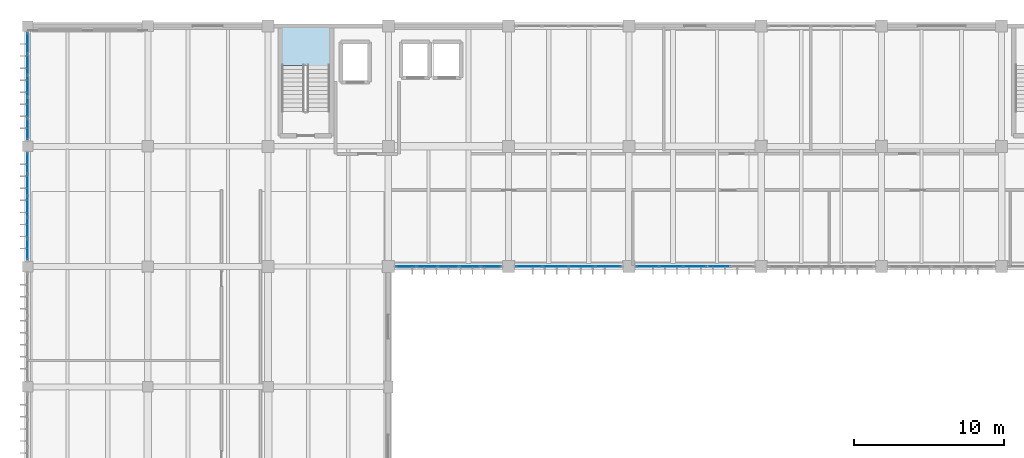
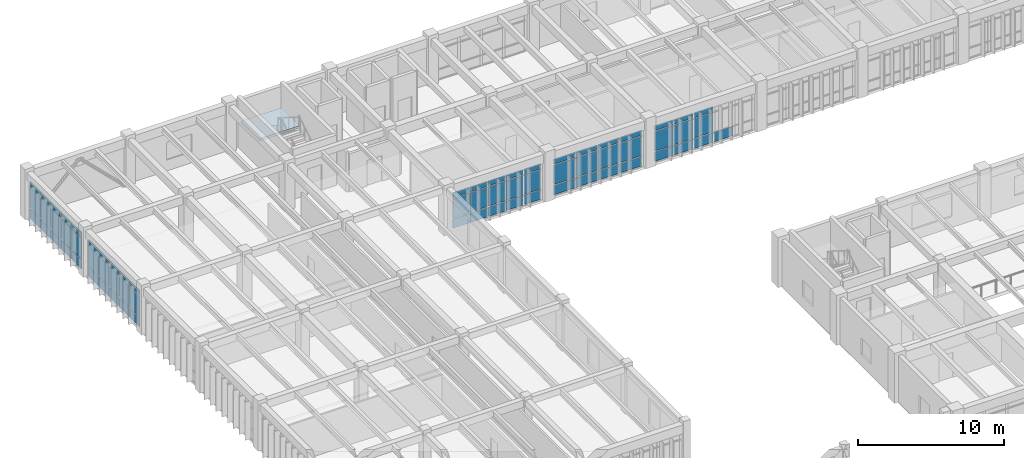
# One storey, part 34 of 67: 67 plates, 1 slab, 6 elements without a shape of their own.
"""IFC4 building model written with IfcOpenShell, lengths in metres."""

from ifc_helpers import new_model, si_unit, direction, frame, origin, origin_2d, place, context, subcontext, project, spatial, polyline, rectangle, outline, extrude, material, layer, layer_set, type_object, element, aggregate, save


model = new_model("IFC4")

# Units and contexts
model_context = context("Model", 3, precision=1e-05, world=origin(), true_north=direction((0.0, 1.0)))
body_context = subcontext(model_context, "Body", "Model", "MODEL_VIEW")
ifc_project = project(units=[si_unit("LENGTHUNIT", "METRE"), si_unit("AREAUNIT", "SQUARE_METRE"), si_unit("VOLUMEUNIT", "CUBIC_METRE"), si_unit("PLANEANGLEUNIT", "RADIAN"), si_unit("MASSUNIT", "GRAM", prefix="KILO")], contexts=[model_context])

# Site, building, storey
site_placement = place(None, origin())
site = spatial("IfcSite", under=ifc_project, at=site_placement, CompositionType="ELEMENT")
building_placement = place(site_placement, origin())
building = spatial("IfcBuilding", under=site, at=building_placement, Name="Tlaxcora Railside Police Headquarters", CompositionType="ELEMENT")
storey_placement = place(building_placement, frame((0.0, 0.0, 4.800048828125)))
storey = spatial("IfcBuildingStorey", under=building, at=storey_placement, Name="L01", CompositionType="ELEMENT", Elevation=4.800048828125)

# Curtain wall, plates
ifc_material_1 = material(Name="Thermally broken low-E insulated glazing", Category="glass")
curtain_wall_type_1 = type_object("IfcCurtainWallType", Name="Unitised Curtain Wall Assembly CW-23", PredefinedType="NOTDEFINED", material=ifc_material_1)
curtain_wall_1_placement = place(storey_placement, origin())
curtain_wall_1 = element("IfcCurtainWall", 1, at=curtain_wall_1_placement, inside=storey, type_object=curtain_wall_type_1, Name="V5 L01 curtain wall 32", PredefinedType="NOTDEFINED")
ifc_layer_1 = layer(ifc_material_1, 0.0400390625, Name="Thermally broken low-E insulated glazing")
ifc_layer_set_1 = layer_set([ifc_layer_1], Name="Thermally broken low-E insulated glazing")
plate_type_1 = type_object("IfcPlateType", Name="Curtain Wall Infill Panel CW-17", PredefinedType="CURTAIN_PANEL", material=ifc_layer_set_1)
plate_1_placement = place(storey_placement, frame((30.3798828125, 76.800048828125, 0.080078125), z_axis=(0.0, 0.0, 1.0), x_axis=(1.0, 0.0, 0.0)))
plate_1 = element("IfcPlate", 2, at=plate_1_placement, type_object=plate_type_1, Name="CW panel 1.1", PredefinedType="CURTAIN_PANEL", context=body_context, shape_type="SweptSolid", body=[
    extrude(rectangle(XDim=1.300048828125, YDim=0.0400390625, at=origin_2d()), origin(), (0.0, 0.0, 1.0), 0.780029296875),
])
plate_2_placement = place(storey_placement, frame((30.3798828125, 76.800048828125, 0.93994140625), z_axis=(0.0, 0.0, 1.0), x_axis=(1.0, 0.0, 0.0)))
plate_2 = element("IfcPlate", 3, at=plate_2_placement, type_object=plate_type_1, Name="CW panel 1.2", PredefinedType="CURTAIN_PANEL", context=body_context, shape_type="SweptSolid", body=[
    extrude(rectangle(XDim=1.300048828125, YDim=0.0400390625, at=origin_2d()), origin(), (0.0, 0.0, 1.0), 1.6298828125),
])
plate_3_placement = place(storey_placement, frame((30.3798828125, 76.800048828125, 2.64990234375), z_axis=(0.0, 0.0, 1.0), x_axis=(1.0, 0.0, 0.0)))
plate_3 = element("IfcPlate", 4, at=plate_3_placement, type_object=plate_type_1, Name="CW panel 1.3", PredefinedType="CURTAIN_PANEL", context=body_context, shape_type="SweptSolid", body=[
    extrude(rectangle(XDim=1.300048828125, YDim=0.0400390625, at=origin_2d()), origin(), (0.0, 0.0, 1.0), 0.409912109375),
])
plate_4_placement = place(storey_placement, frame((31.780029296875, 76.800048828125, 0.080078125), z_axis=(0.0, 0.0, 1.0), x_axis=(1.0, 0.0, 0.0)))
plate_4 = element("IfcPlate", 5, at=plate_4_placement, type_object=plate_type_1, Name="CW panel 2.1", PredefinedType="CURTAIN_PANEL", context=body_context, shape_type="SweptSolid", body=[
    extrude(rectangle(XDim=1.340087890625, YDim=0.0400390625, at=origin_2d()), origin(), (0.0, 0.0, 1.0), 0.780029296875),
])
plate_5_placement = place(storey_placement, frame((31.780029296875, 76.800048828125, 0.93994140625), z_axis=(0.0, 0.0, 1.0), x_axis=(1.0, 0.0, 0.0)))
plate_5 = element("IfcPlate", 6, at=plate_5_placement, type_object=plate_type_1, Name="CW panel 2.2", PredefinedType="CURTAIN_PANEL", context=body_context, shape_type="SweptSolid", body=[
    extrude(rectangle(XDim=1.340087890625, YDim=0.0400390625, at=origin_2d()), origin(), (0.0, 0.0, 1.0), 1.6298828125),
])
plate_6_placement = place(storey_placement, frame((31.780029296875, 76.800048828125, 2.64990234375), z_axis=(0.0, 0.0, 1.0), x_axis=(1.0, 0.0, 0.0)))
plate_6 = element("IfcPlate", 7, at=plate_6_placement, type_object=plate_type_1, Name="CW panel 2.3", PredefinedType="CURTAIN_PANEL", context=body_context, shape_type="SweptSolid", body=[
    extrude(rectangle(XDim=1.340087890625, YDim=0.0400390625, at=origin_2d()), origin(), (0.0, 0.0, 1.0), 0.409912109375),
])
plate_7_placement = place(storey_placement, frame((33.199951171875, 76.800048828125, 0.080078125), z_axis=(0.0, 0.0, 1.0), x_axis=(1.0, 0.0, 0.0)))
plate_7 = element("IfcPlate", 8, at=plate_7_placement, type_object=plate_type_1, Name="CW panel 3.1", PredefinedType="CURTAIN_PANEL", context=body_context, shape_type="SweptSolid", body=[
    extrude(rectangle(XDim=1.340087890625, YDim=0.0400390625, at=origin_2d()), origin(), (0.0, 0.0, 1.0), 0.780029296875),
])
plate_8_placement = place(storey_placement, frame((33.199951171875, 76.800048828125, 0.93994140625), z_axis=(0.0, 0.0, 1.0), x_axis=(1.0, 0.0, 0.0)))
plate_8 = element("IfcPlate", 9, at=plate_8_placement, type_object=plate_type_1, Name="CW panel 3.2", PredefinedType="CURTAIN_PANEL", context=body_context, shape_type="SweptSolid", body=[
    extrude(rectangle(XDim=1.340087890625, YDim=0.0400390625, at=origin_2d()), origin(), (0.0, 0.0, 1.0), 1.6298828125),
])
plate_9_placement = place(storey_placement, frame((33.199951171875, 76.800048828125, 2.64990234375), z_axis=(0.0, 0.0, 1.0), x_axis=(1.0, 0.0, 0.0)))
plate_9 = element("IfcPlate", 10, at=plate_9_placement, type_object=plate_type_1, Name="CW panel 3.3", PredefinedType="CURTAIN_PANEL", context=body_context, shape_type="SweptSolid", body=[
    extrude(rectangle(XDim=1.340087890625, YDim=0.0400390625, at=origin_2d()), origin(), (0.0, 0.0, 1.0), 0.409912109375),
])
plate_10_placement = place(storey_placement, frame((34.6201171875, 76.800048828125, 0.080078125), z_axis=(0.0, 0.0, 1.0), x_axis=(1.0, 0.0, 0.0)))
plate_10 = element("IfcPlate", 11, at=plate_10_placement, type_object=plate_type_1, Name="CW panel 4.1", PredefinedType="CURTAIN_PANEL", context=body_context, shape_type="SweptSolid", body=[
    extrude(rectangle(XDim=1.340087890625, YDim=0.0400390625, at=origin_2d()), origin(), (0.0, 0.0, 1.0), 0.780029296875),
])
plate_11_placement = place(storey_placement, frame((34.6201171875, 76.800048828125, 0.93994140625), z_axis=(0.0, 0.0, 1.0), x_axis=(1.0, 0.0, 0.0)))
plate_11 = element("IfcPlate", 12, at=plate_11_placement, type_object=plate_type_1, Name="CW panel 4.2", PredefinedType="CURTAIN_PANEL", context=body_context, shape_type="SweptSolid", body=[
    extrude(rectangle(XDim=1.340087890625, YDim=0.0400390625, at=origin_2d()), origin(), (0.0, 0.0, 1.0), 1.6298828125),
])
plate_12_placement = place(storey_placement, frame((34.6201171875, 76.800048828125, 2.64990234375), z_axis=(0.0, 0.0, 1.0), x_axis=(1.0, 0.0, 0.0)))
plate_12 = element("IfcPlate", 13, at=plate_12_placement, type_object=plate_type_1, Name="CW panel 4.3", PredefinedType="CURTAIN_PANEL", context=body_context, shape_type="SweptSolid", body=[
    extrude(rectangle(XDim=1.340087890625, YDim=0.0400390625, at=origin_2d()), origin(), (0.0, 0.0, 1.0), 0.409912109375),
])
plate_13_placement = place(storey_placement, frame((36.02001953125, 76.800048828125, 0.080078125), z_axis=(0.0, 0.0, 1.0), x_axis=(1.0, 0.0, 0.0)))
plate_13 = element("IfcPlate", 14, at=plate_13_placement, type_object=plate_type_1, Name="CW panel 5.1", PredefinedType="CURTAIN_PANEL", context=body_context, shape_type="SweptSolid", body=[
    extrude(rectangle(XDim=1.300048828125, YDim=0.0400390625, at=origin_2d()), origin(), (0.0, 0.0, 1.0), 0.780029296875),
])
plate_14_placement = place(storey_placement, frame((36.02001953125, 76.800048828125, 0.93994140625), z_axis=(0.0, 0.0, 1.0), x_axis=(1.0, 0.0, 0.0)))
plate_14 = element("IfcPlate", 15, at=plate_14_placement, type_object=plate_type_1, Name="CW panel 5.2", PredefinedType="CURTAIN_PANEL", context=body_context, shape_type="SweptSolid", body=[
    extrude(rectangle(XDim=1.300048828125, YDim=0.0400390625, at=origin_2d()), origin(), (0.0, 0.0, 1.0), 1.6298828125),
])
plate_15_placement = place(storey_placement, frame((36.02001953125, 76.800048828125, 2.64990234375), z_axis=(0.0, 0.0, 1.0), x_axis=(1.0, 0.0, 0.0)))
plate_15 = element("IfcPlate", 16, at=plate_15_placement, type_object=plate_type_1, Name="CW panel 5.3", PredefinedType="CURTAIN_PANEL", context=body_context, shape_type="SweptSolid", body=[
    extrude(rectangle(XDim=1.300048828125, YDim=0.0400390625, at=origin_2d()), origin(), (0.0, 0.0, 1.0), 0.409912109375),
])
aggregate(curtain_wall_1, [plate_1, plate_2, plate_3, plate_4, plate_5, plate_6, plate_7, plate_8, plate_9, plate_10, plate_11, plate_12, plate_13, plate_14, plate_15])

curtain_wall_2_placement = place(storey_placement, origin())
curtain_wall_2 = element("IfcCurtainWall", 17, at=curtain_wall_2_placement, inside=storey, type_object=curtain_wall_type_1, Name="V5 L01 curtain wall 44", PredefinedType="NOTDEFINED")
plate_16_placement = place(storey_placement, frame((5.199951171875, 91.659912109375, 0.080078125), z_axis=(0.0, 0.0, 1.0), x_axis=(0.0, -1.0, 0.0)))
plate_16 = element("IfcPlate", 18, at=plate_16_placement, type_object=plate_type_1, Name="CW panel 1.1", PredefinedType="CURTAIN_PANEL", context=body_context, shape_type="SweptSolid", body=[
    extrude(rectangle(XDim=1.320068359375, YDim=0.0400390625, at=origin_2d()), origin(), (0.0, 0.0, 1.0), 0.780029296875),
])
plate_17_placement = place(storey_placement, frame((5.199951171875, 91.659912109375, 0.93994140625), z_axis=(0.0, 0.0, 1.0), x_axis=(0.0, -1.0, 0.0)))
plate_17 = element("IfcPlate", 19, at=plate_17_placement, type_object=plate_type_1, Name="CW panel 1.2", PredefinedType="CURTAIN_PANEL", context=body_context, shape_type="SweptSolid", body=[
    extrude(rectangle(XDim=1.320068359375, YDim=0.0400390625, at=origin_2d()), origin(), (0.0, 0.0, 1.0), 1.72998046875),
])
plate_18_placement = place(storey_placement, frame((5.199951171875, 91.659912109375, 2.75), z_axis=(0.0, 0.0, 1.0), x_axis=(0.0, -1.0, 0.0)))
plate_18 = element("IfcPlate", 20, at=plate_18_placement, type_object=plate_type_1, Name="CW panel 1.3", PredefinedType="CURTAIN_PANEL", context=body_context, shape_type="SweptSolid", body=[
    extrude(rectangle(XDim=1.320068359375, YDim=0.0400390625, at=origin_2d()), origin(), (0.0, 0.0, 1.0), 0.409912109375),
])
plate_19_placement = place(storey_placement, frame((5.199951171875, 90.239990234375, 0.080078125), z_axis=(0.0, 0.0, 1.0), x_axis=(0.0, -1.0, 0.0)))
plate_19 = element("IfcPlate", 21, at=plate_19_placement, type_object=plate_type_1, Name="CW panel 2.1", PredefinedType="CURTAIN_PANEL", context=body_context, shape_type="SweptSolid", body=[
    extrude(rectangle(XDim=1.360107421875, YDim=0.0400390625, at=origin_2d()), origin(), (0.0, 0.0, 1.0), 0.780029296875),
])
plate_20_placement = place(storey_placement, frame((5.199951171875, 90.239990234375, 0.93994140625), z_axis=(0.0, 0.0, 1.0), x_axis=(0.0, -1.0, 0.0)))
plate_20 = element("IfcPlate", 22, at=plate_20_placement, type_object=plate_type_1, Name="CW panel 2.2", PredefinedType="CURTAIN_PANEL", context=body_context, shape_type="SweptSolid", body=[
    extrude(rectangle(XDim=1.360107421875, YDim=0.0400390625, at=origin_2d()), origin(), (0.0, 0.0, 1.0), 1.72998046875),
])
plate_21_placement = place(storey_placement, frame((5.199951171875, 90.239990234375, 2.75), z_axis=(0.0, 0.0, 1.0), x_axis=(0.0, -1.0, 0.0)))
plate_21 = element("IfcPlate", 23, at=plate_21_placement, type_object=plate_type_1, Name="CW panel 2.3", PredefinedType="CURTAIN_PANEL", context=body_context, shape_type="SweptSolid", body=[
    extrude(rectangle(XDim=1.360107421875, YDim=0.0400390625, at=origin_2d()), origin(), (0.0, 0.0, 1.0), 0.409912109375),
])
plate_22_placement = place(storey_placement, frame((5.199951171875, 88.800048828125, 0.080078125), z_axis=(0.0, 0.0, 1.0), x_axis=(0.0, -1.0, 0.0)))
plate_22 = element("IfcPlate", 24, at=plate_22_placement, type_object=plate_type_1, Name="CW panel 3.1", PredefinedType="CURTAIN_PANEL", context=body_context, shape_type="SweptSolid", body=[
    extrude(rectangle(XDim=1.360107421875, YDim=0.0400390625, at=origin_2d()), origin(), (0.0, 0.0, 1.0), 0.780029296875),
])
plate_23_placement = place(storey_placement, frame((5.199951171875, 88.800048828125, 0.93994140625), z_axis=(0.0, 0.0, 1.0), x_axis=(0.0, -1.0, 0.0)))
plate_23 = element("IfcPlate", 25, at=plate_23_placement, type_object=plate_type_1, Name="CW panel 3.2", PredefinedType="CURTAIN_PANEL", context=body_context, shape_type="SweptSolid", body=[
    extrude(rectangle(XDim=1.360107421875, YDim=0.0400390625, at=origin_2d()), origin(), (0.0, 0.0, 1.0), 1.72998046875),
])
plate_24_placement = place(storey_placement, frame((5.199951171875, 88.800048828125, 2.75), z_axis=(0.0, 0.0, 1.0), x_axis=(0.0, -1.0, 0.0)))
plate_24 = element("IfcPlate", 26, at=plate_24_placement, type_object=plate_type_1, Name="CW panel 3.3", PredefinedType="CURTAIN_PANEL", context=body_context, shape_type="SweptSolid", body=[
    extrude(rectangle(XDim=1.360107421875, YDim=0.0400390625, at=origin_2d()), origin(), (0.0, 0.0, 1.0), 0.409912109375),
])
plate_25_placement = place(storey_placement, frame((5.199951171875, 87.360107421875, 0.080078125), z_axis=(0.0, 0.0, 1.0), x_axis=(0.0, -1.0, 0.0)))
plate_25 = element("IfcPlate", 27, at=plate_25_placement, type_object=plate_type_1, Name="CW panel 4.1", PredefinedType="CURTAIN_PANEL", context=body_context, shape_type="SweptSolid", body=[
    extrude(rectangle(XDim=1.360107421875, YDim=0.0400390625, at=origin_2d()), origin(), (0.0, 0.0, 1.0), 0.780029296875),
])
plate_26_placement = place(storey_placement, frame((5.199951171875, 87.360107421875, 0.93994140625), z_axis=(0.0, 0.0, 1.0), x_axis=(0.0, -1.0, 0.0)))
plate_26 = element("IfcPlate", 28, at=plate_26_placement, type_object=plate_type_1, Name="CW panel 4.2", PredefinedType="CURTAIN_PANEL", context=body_context, shape_type="SweptSolid", body=[
    extrude(rectangle(XDim=1.360107421875, YDim=0.0400390625, at=origin_2d()), origin(), (0.0, 0.0, 1.0), 1.72998046875),
])
plate_27_placement = place(storey_placement, frame((5.199951171875, 87.360107421875, 2.75), z_axis=(0.0, 0.0, 1.0), x_axis=(0.0, -1.0, 0.0)))
plate_27 = element("IfcPlate", 29, at=plate_27_placement, type_object=plate_type_1, Name="CW panel 4.3", PredefinedType="CURTAIN_PANEL", context=body_context, shape_type="SweptSolid", body=[
    extrude(rectangle(XDim=1.360107421875, YDim=0.0400390625, at=origin_2d()), origin(), (0.0, 0.0, 1.0), 0.409912109375),
])
plate_28_placement = place(storey_placement, frame((5.199951171875, 85.93994140625, 0.080078125), z_axis=(0.0, 0.0, 1.0), x_axis=(0.0, -1.0, 0.0)))
plate_28 = element("IfcPlate", 30, at=plate_28_placement, type_object=plate_type_1, Name="CW panel 5.1", PredefinedType="CURTAIN_PANEL", context=body_context, shape_type="SweptSolid", body=[
    extrude(rectangle(XDim=1.320068359375, YDim=0.0400390625, at=origin_2d()), origin(), (0.0, 0.0, 1.0), 0.780029296875),
])
plate_29_placement = place(storey_placement, frame((5.199951171875, 85.93994140625, 0.93994140625), z_axis=(0.0, 0.0, 1.0), x_axis=(0.0, -1.0, 0.0)))
plate_29 = element("IfcPlate", 31, at=plate_29_placement, type_object=plate_type_1, Name="CW panel 5.2", PredefinedType="CURTAIN_PANEL", context=body_context, shape_type="SweptSolid", body=[
    extrude(rectangle(XDim=1.320068359375, YDim=0.0400390625, at=origin_2d()), origin(), (0.0, 0.0, 1.0), 1.72998046875),
])
plate_30_placement = place(storey_placement, frame((5.199951171875, 85.93994140625, 2.75), z_axis=(0.0, 0.0, 1.0), x_axis=(0.0, -1.0, 0.0)))
plate_30 = element("IfcPlate", 32, at=plate_30_placement, type_object=plate_type_1, Name="CW panel 5.3", PredefinedType="CURTAIN_PANEL", context=body_context, shape_type="SweptSolid", body=[
    extrude(rectangle(XDim=1.320068359375, YDim=0.0400390625, at=origin_2d()), origin(), (0.0, 0.0, 1.0), 0.409912109375),
])
aggregate(curtain_wall_2, [plate_16, plate_17, plate_18, plate_19, plate_20, plate_21, plate_22, plate_23, plate_24, plate_25, plate_26, plate_27, plate_28, plate_29, plate_30])

curtain_wall_type_2 = type_object("IfcCurtainWallType", Name="Unitised Curtain Wall Assembly CW-15", PredefinedType="NOTDEFINED", material=ifc_material_1)
curtain_wall_3_placement = place(storey_placement, origin())
curtain_wall_3 = element("IfcCurtainWall", 33, at=curtain_wall_3_placement, inside=storey, type_object=curtain_wall_type_2, Name="V5 L01 curtain wall 34", PredefinedType="NOTDEFINED")
ifc_layer_2 = layer(ifc_material_1, 0.031982421875, Name="Thermally broken low-E insulated glazing")
ifc_layer_set_2 = layer_set([ifc_layer_2], Name="Thermally broken low-E insulated glazing")
plate_type_2 = type_object("IfcPlateType", Name="Curtain Wall Infill Panel CW-41", PredefinedType="CURTAIN_PANEL", material=ifc_layer_set_2)
plate_31_placement = place(storey_placement, frame((46.458740234375, 76.800048828125, 0.074951171875), z_axis=(0.0, 0.0, 1.0), x_axis=(1.0, 0.0, 0.0)))
plate_31 = element("IfcPlate", 34, at=plate_31_placement, type_object=plate_type_2, Name="CW panel 1.1", PredefinedType="CURTAIN_PANEL", context=body_context, shape_type="SweptSolid", body=[
    extrude(rectangle(XDim=1.467529296875, YDim=0.031982421875, at=origin_2d()), origin(), (0.0, 0.0, 1.0), 0.78759765625),
])
plate_32_placement = place(storey_placement, frame((46.458740234375, 76.800048828125, 0.9375), z_axis=(0.0, 0.0, 1.0), x_axis=(1.0, 0.0, 0.0)))
plate_32 = element("IfcPlate", 35, at=plate_32_placement, type_object=plate_type_2, Name="CW panel 1.2", PredefinedType="CURTAIN_PANEL", context=body_context, shape_type="SweptSolid", body=[
    extrude(rectangle(XDim=1.467529296875, YDim=0.031982421875, at=origin_2d()), origin(), (0.0, 0.0, 1.0), 1.635009765625),
])
plate_33_placement = place(storey_placement, frame((46.458740234375, 76.800048828125, 2.6474609375), z_axis=(0.0, 0.0, 1.0), x_axis=(1.0, 0.0, 0.0)))
plate_33 = element("IfcPlate", 36, at=plate_33_placement, type_object=plate_type_2, Name="CW panel 1.3", PredefinedType="CURTAIN_PANEL", context=body_context, shape_type="SweptSolid", body=[
    extrude(rectangle(XDim=1.467529296875, YDim=0.031982421875, at=origin_2d()), origin(), (0.0, 0.0, 1.0), 0.41748046875),
])
plate_34_placement = place(storey_placement, frame((48.02001953125, 76.800048828125, 0.074951171875), z_axis=(0.0, 0.0, 1.0), x_axis=(1.0, 0.0, 0.0)))
plate_34 = element("IfcPlate", 37, at=plate_34_placement, type_object=plate_type_2, Name="CW panel 2.1", PredefinedType="CURTAIN_PANEL", context=body_context, shape_type="SweptSolid", body=[
    extrude(rectangle(XDim=1.5048828125, YDim=0.031982421875, at=origin_2d()), origin(), (0.0, 0.0, 1.0), 0.78759765625),
])
plate_35_placement = place(storey_placement, frame((48.02001953125, 76.800048828125, 0.9375), z_axis=(0.0, 0.0, 1.0), x_axis=(1.0, 0.0, 0.0)))
plate_35 = element("IfcPlate", 38, at=plate_35_placement, type_object=plate_type_2, Name="CW panel 2.2", PredefinedType="CURTAIN_PANEL", context=body_context, shape_type="SweptSolid", body=[
    extrude(rectangle(XDim=1.5048828125, YDim=0.031982421875, at=origin_2d()), origin(), (0.0, 0.0, 1.0), 1.635009765625),
])
plate_36_placement = place(storey_placement, frame((48.02001953125, 76.800048828125, 2.6474609375), z_axis=(0.0, 0.0, 1.0), x_axis=(1.0, 0.0, 0.0)))
plate_36 = element("IfcPlate", 39, at=plate_36_placement, type_object=plate_type_2, Name="CW panel 2.3", PredefinedType="CURTAIN_PANEL", context=body_context, shape_type="SweptSolid", body=[
    extrude(rectangle(XDim=1.5048828125, YDim=0.031982421875, at=origin_2d()), origin(), (0.0, 0.0, 1.0), 0.41748046875),
])
plate_37_placement = place(storey_placement, frame((49.60009765625, 76.800048828125, 0.074951171875), z_axis=(0.0, 0.0, 1.0), x_axis=(1.0, 0.0, 0.0)))
plate_37 = element("IfcPlate", 40, at=plate_37_placement, type_object=plate_type_2, Name="CW panel 3.1", PredefinedType="CURTAIN_PANEL", context=body_context, shape_type="SweptSolid", body=[
    extrude(rectangle(XDim=1.5048828125, YDim=0.031982421875, at=origin_2d()), origin(), (0.0, 0.0, 1.0), 0.78759765625),
])
plate_38_placement = place(storey_placement, frame((49.60009765625, 76.800048828125, 0.9375), z_axis=(0.0, 0.0, 1.0), x_axis=(1.0, 0.0, 0.0)))
plate_38 = element("IfcPlate", 41, at=plate_38_placement, type_object=plate_type_2, Name="CW panel 3.2", PredefinedType="CURTAIN_PANEL", context=body_context, shape_type="SweptSolid", body=[
    extrude(rectangle(XDim=1.5048828125, YDim=0.031982421875, at=origin_2d()), origin(), (0.0, 0.0, 1.0), 1.635009765625),
])
plate_39_placement = place(storey_placement, frame((49.60009765625, 76.800048828125, 2.6474609375), z_axis=(0.0, 0.0, 1.0), x_axis=(1.0, 0.0, 0.0)))
plate_39 = element("IfcPlate", 42, at=plate_39_placement, type_object=plate_type_2, Name="CW panel 3.3", PredefinedType="CURTAIN_PANEL", context=body_context, shape_type="SweptSolid", body=[
    extrude(rectangle(XDim=1.5048828125, YDim=0.031982421875, at=origin_2d()), origin(), (0.0, 0.0, 1.0), 0.41748046875),
])
plate_40_placement = place(storey_placement, frame((51.179931640625, 76.800048828125, 0.074951171875), z_axis=(0.0, 0.0, 1.0), x_axis=(1.0, 0.0, 0.0)))
plate_40 = element("IfcPlate", 43, at=plate_40_placement, type_object=plate_type_2, Name="CW panel 4.1", PredefinedType="CURTAIN_PANEL", context=body_context, shape_type="SweptSolid", body=[
    extrude(rectangle(XDim=1.5048828125, YDim=0.031982421875, at=origin_2d()), origin(), (0.0, 0.0, 1.0), 0.78759765625),
])
aggregate(curtain_wall_3, [plate_31, plate_32, plate_33, plate_34, plate_35, plate_36, plate_37, plate_38, plate_39, plate_40])

curtain_wall_type_3 = type_object("IfcCurtainWallType", Name="Unitised Curtain Wall Assembly CW-38", PredefinedType="NOTDEFINED", material=ifc_material_1)
curtain_wall_4_placement = place(storey_placement, origin())
curtain_wall_4 = element("IfcCurtainWall", 44, at=curtain_wall_4_placement, inside=storey, type_object=curtain_wall_type_3, Name="V5 L01 curtain wall 33", PredefinedType="NOTDEFINED")
ifc_layer_3 = layer(ifc_material_1, 0.028076171875, Name="Thermally broken low-E insulated glazing")
ifc_layer_set_3 = layer_set([ifc_layer_3], Name="Thermally broken low-E insulated glazing")
plate_type_3 = type_object("IfcPlateType", Name="Curtain Wall Infill Panel CW-92", PredefinedType="CURTAIN_PANEL", material=ifc_layer_set_3)
plate_41_placement = place(storey_placement, frame((38.55615234375, 76.800048828125, 0.074951171875), z_axis=(0.0, 0.0, 1.0), x_axis=(1.0, 0.0, 0.0)))
plate_41 = element("IfcPlate", 45, at=plate_41_placement, type_object=plate_type_3, Name="CW panel 1.1", PredefinedType="CURTAIN_PANEL", context=body_context, shape_type="SweptSolid", body=[
    extrude(rectangle(XDim=1.66259765625, YDim=0.028076171875, at=origin_2d()), origin(), (0.0, 0.0, 1.0), 0.78759765625),
])
plate_42_placement = place(storey_placement, frame((38.55615234375, 76.800048828125, 0.9375), z_axis=(0.0, 0.0, 1.0), x_axis=(1.0, 0.0, 0.0)))
plate_42 = element("IfcPlate", 46, at=plate_42_placement, type_object=plate_type_3, Name="CW panel 1.2", PredefinedType="CURTAIN_PANEL", context=body_context, shape_type="SweptSolid", body=[
    extrude(rectangle(XDim=1.66259765625, YDim=0.028076171875, at=origin_2d()), origin(), (0.0, 0.0, 1.0), 1.635009765625),
])
plate_43_placement = place(storey_placement, frame((38.55615234375, 76.800048828125, 2.6474609375), z_axis=(0.0, 0.0, 1.0), x_axis=(1.0, 0.0, 0.0)))
plate_43 = element("IfcPlate", 47, at=plate_43_placement, type_object=plate_type_3, Name="CW panel 1.3", PredefinedType="CURTAIN_PANEL", context=body_context, shape_type="SweptSolid", body=[
    extrude(rectangle(XDim=1.66259765625, YDim=0.028076171875, at=origin_2d()), origin(), (0.0, 0.0, 1.0), 0.41748046875),
])
plate_44_placement = place(storey_placement, frame((40.3125, 76.800048828125, 0.074951171875), z_axis=(0.0, 0.0, 1.0), x_axis=(1.0, 0.0, 0.0)))
plate_44 = element("IfcPlate", 48, at=plate_44_placement, type_object=plate_type_3, Name="CW panel 2.1", PredefinedType="CURTAIN_PANEL", context=body_context, shape_type="SweptSolid", body=[
    extrude(rectangle(XDim=1.699951171875, YDim=0.028076171875, at=origin_2d()), origin(), (0.0, 0.0, 1.0), 0.78759765625),
])
plate_45_placement = place(storey_placement, frame((40.3125, 76.800048828125, 0.9375), z_axis=(0.0, 0.0, 1.0), x_axis=(1.0, 0.0, 0.0)))
plate_45 = element("IfcPlate", 49, at=plate_45_placement, type_object=plate_type_3, Name="CW panel 2.2", PredefinedType="CURTAIN_PANEL", context=body_context, shape_type="SweptSolid", body=[
    extrude(rectangle(XDim=1.699951171875, YDim=0.028076171875, at=origin_2d()), origin(), (0.0, 0.0, 1.0), 1.635009765625),
])
plate_46_placement = place(storey_placement, frame((40.3125, 76.800048828125, 2.6474609375), z_axis=(0.0, 0.0, 1.0), x_axis=(1.0, 0.0, 0.0)))
plate_46 = element("IfcPlate", 50, at=plate_46_placement, type_object=plate_type_3, Name="CW panel 2.3", PredefinedType="CURTAIN_PANEL", context=body_context, shape_type="SweptSolid", body=[
    extrude(rectangle(XDim=1.699951171875, YDim=0.028076171875, at=origin_2d()), origin(), (0.0, 0.0, 1.0), 0.41748046875),
])
plate_47_placement = place(storey_placement, frame((42.08740234375, 76.800048828125, 0.074951171875), z_axis=(0.0, 0.0, 1.0), x_axis=(1.0, 0.0, 0.0)))
plate_47 = element("IfcPlate", 51, at=plate_47_placement, type_object=plate_type_3, Name="CW panel 3.1", PredefinedType="CURTAIN_PANEL", context=body_context, shape_type="SweptSolid", body=[
    extrude(rectangle(XDim=1.699951171875, YDim=0.028076171875, at=origin_2d()), origin(), (0.0, 0.0, 1.0), 0.78759765625),
])
plate_48_placement = place(storey_placement, frame((42.08740234375, 76.800048828125, 0.9375), z_axis=(0.0, 0.0, 1.0), x_axis=(1.0, 0.0, 0.0)))
plate_48 = element("IfcPlate", 52, at=plate_48_placement, type_object=plate_type_3, Name="CW panel 3.2", PredefinedType="CURTAIN_PANEL", context=body_context, shape_type="SweptSolid", body=[
    extrude(rectangle(XDim=1.699951171875, YDim=0.028076171875, at=origin_2d()), origin(), (0.0, 0.0, 1.0), 1.635009765625),
])
plate_49_placement = place(storey_placement, frame((42.08740234375, 76.800048828125, 2.6474609375), z_axis=(0.0, 0.0, 1.0), x_axis=(1.0, 0.0, 0.0)))
plate_49 = element("IfcPlate", 53, at=plate_49_placement, type_object=plate_type_3, Name="CW panel 3.3", PredefinedType="CURTAIN_PANEL", context=body_context, shape_type="SweptSolid", body=[
    extrude(rectangle(XDim=1.699951171875, YDim=0.028076171875, at=origin_2d()), origin(), (0.0, 0.0, 1.0), 0.41748046875),
])
plate_50_placement = place(storey_placement, frame((43.84375, 76.800048828125, 0.074951171875), z_axis=(0.0, 0.0, 1.0), x_axis=(1.0, 0.0, 0.0)))
plate_50 = element("IfcPlate", 54, at=plate_50_placement, type_object=plate_type_3, Name="CW panel 4.1", PredefinedType="CURTAIN_PANEL", context=body_context, shape_type="SweptSolid", body=[
    extrude(rectangle(XDim=1.66259765625, YDim=0.028076171875, at=origin_2d()), origin(), (0.0, 0.0, 1.0), 0.78759765625),
])
plate_51_placement = place(storey_placement, frame((43.84375, 76.800048828125, 0.9375), z_axis=(0.0, 0.0, 1.0), x_axis=(1.0, 0.0, 0.0)))
plate_51 = element("IfcPlate", 55, at=plate_51_placement, type_object=plate_type_3, Name="CW panel 4.2", PredefinedType="CURTAIN_PANEL", context=body_context, shape_type="SweptSolid", body=[
    extrude(rectangle(XDim=1.66259765625, YDim=0.028076171875, at=origin_2d()), origin(), (0.0, 0.0, 1.0), 1.635009765625),
])
plate_52_placement = place(storey_placement, frame((43.84375, 76.800048828125, 2.6474609375), z_axis=(0.0, 0.0, 1.0), x_axis=(1.0, 0.0, 0.0)))
plate_52 = element("IfcPlate", 56, at=plate_52_placement, type_object=plate_type_3, Name="CW panel 4.3", PredefinedType="CURTAIN_PANEL", context=body_context, shape_type="SweptSolid", body=[
    extrude(rectangle(XDim=1.66259765625, YDim=0.028076171875, at=origin_2d()), origin(), (0.0, 0.0, 1.0), 0.41748046875),
])
aggregate(curtain_wall_4, [plate_41, plate_42, plate_43, plate_44, plate_45, plate_46, plate_47, plate_48, plate_49, plate_50, plate_51, plate_52])

curtain_wall_5_placement = place(storey_placement, origin())
curtain_wall_5 = element("IfcCurtainWall", 57, at=curtain_wall_5_placement, inside=storey, type_object=curtain_wall_type_3, Name="V5 L01 curtain wall 45", PredefinedType="NOTDEFINED")
plate_53_placement = place(storey_placement, frame((5.199951171875, 83.6611328125, 0.074951171875), z_axis=(0.0, 0.0, 1.0), x_axis=(0.0, -1.0, 0.0)))
plate_53 = element("IfcPlate", 58, at=plate_53_placement, type_object=plate_type_3, Name="CW panel 1.1", PredefinedType="CURTAIN_PANEL", context=body_context, shape_type="SweptSolid", body=[
    extrude(rectangle(XDim=1.327392578125, YDim=0.028076171875, at=origin_2d()), origin(), (0.0, 0.0, 1.0), 0.78759765625),
])
plate_54_placement = place(storey_placement, frame((5.199951171875, 83.6611328125, 0.9375), z_axis=(0.0, 0.0, 1.0), x_axis=(0.0, -1.0, 0.0)))
plate_54 = element("IfcPlate", 59, at=plate_54_placement, type_object=plate_type_3, Name="CW panel 1.2", PredefinedType="CURTAIN_PANEL", context=body_context, shape_type="SweptSolid", body=[
    extrude(rectangle(XDim=1.327392578125, YDim=0.028076171875, at=origin_2d()), origin(), (0.0, 0.0, 1.0), 1.735107421875),
])
plate_55_placement = place(storey_placement, frame((5.199951171875, 83.6611328125, 2.74755859375), z_axis=(0.0, 0.0, 1.0), x_axis=(0.0, -1.0, 0.0)))
plate_55 = element("IfcPlate", 60, at=plate_55_placement, type_object=plate_type_3, Name="CW panel 1.3", PredefinedType="CURTAIN_PANEL", context=body_context, shape_type="SweptSolid", body=[
    extrude(rectangle(XDim=1.327392578125, YDim=0.028076171875, at=origin_2d()), origin(), (0.0, 0.0, 1.0), 0.41748046875),
])
plate_56_placement = place(storey_placement, frame((5.199951171875, 82.239990234375, 0.074951171875), z_axis=(0.0, 0.0, 1.0), x_axis=(0.0, -1.0, 0.0)))
plate_56 = element("IfcPlate", 61, at=plate_56_placement, type_object=plate_type_3, Name="CW panel 2.1", PredefinedType="CURTAIN_PANEL", context=body_context, shape_type="SweptSolid", body=[
    extrude(rectangle(XDim=1.364990234375, YDim=0.028076171875, at=origin_2d()), origin(), (0.0, 0.0, 1.0), 0.78759765625),
])
plate_57_placement = place(storey_placement, frame((5.199951171875, 82.239990234375, 0.9375), z_axis=(0.0, 0.0, 1.0), x_axis=(0.0, -1.0, 0.0)))
plate_57 = element("IfcPlate", 62, at=plate_57_placement, type_object=plate_type_3, Name="CW panel 2.2", PredefinedType="CURTAIN_PANEL", context=body_context, shape_type="SweptSolid", body=[
    extrude(rectangle(XDim=1.364990234375, YDim=0.028076171875, at=origin_2d()), origin(), (0.0, 0.0, 1.0), 1.735107421875),
])
plate_58_placement = place(storey_placement, frame((5.199951171875, 82.239990234375, 2.74755859375), z_axis=(0.0, 0.0, 1.0), x_axis=(0.0, -1.0, 0.0)))
plate_58 = element("IfcPlate", 63, at=plate_58_placement, type_object=plate_type_3, Name="CW panel 2.3", PredefinedType="CURTAIN_PANEL", context=body_context, shape_type="SweptSolid", body=[
    extrude(rectangle(XDim=1.364990234375, YDim=0.028076171875, at=origin_2d()), origin(), (0.0, 0.0, 1.0), 0.41748046875),
])
plate_59_placement = place(storey_placement, frame((5.199951171875, 80.800048828125, 0.074951171875), z_axis=(0.0, 0.0, 1.0), x_axis=(0.0, -1.0, 0.0)))
plate_59 = element("IfcPlate", 64, at=plate_59_placement, type_object=plate_type_3, Name="CW panel 3.1", PredefinedType="CURTAIN_PANEL", context=body_context, shape_type="SweptSolid", body=[
    extrude(rectangle(XDim=1.364990234375, YDim=0.028076171875, at=origin_2d()), origin(), (0.0, 0.0, 1.0), 0.78759765625),
])
plate_60_placement = place(storey_placement, frame((5.199951171875, 80.800048828125, 0.9375), z_axis=(0.0, 0.0, 1.0), x_axis=(0.0, -1.0, 0.0)))
plate_60 = element("IfcPlate", 65, at=plate_60_placement, type_object=plate_type_3, Name="CW panel 3.2", PredefinedType="CURTAIN_PANEL", context=body_context, shape_type="SweptSolid", body=[
    extrude(rectangle(XDim=1.364990234375, YDim=0.028076171875, at=origin_2d()), origin(), (0.0, 0.0, 1.0), 1.735107421875),
])
plate_61_placement = place(storey_placement, frame((5.199951171875, 80.800048828125, 2.74755859375), z_axis=(0.0, 0.0, 1.0), x_axis=(0.0, -1.0, 0.0)))
plate_61 = element("IfcPlate", 66, at=plate_61_placement, type_object=plate_type_3, Name="CW panel 3.3", PredefinedType="CURTAIN_PANEL", context=body_context, shape_type="SweptSolid", body=[
    extrude(rectangle(XDim=1.364990234375, YDim=0.028076171875, at=origin_2d()), origin(), (0.0, 0.0, 1.0), 0.41748046875),
])
plate_62_placement = place(storey_placement, frame((5.199951171875, 79.360107421875, 0.074951171875), z_axis=(0.0, 0.0, 1.0), x_axis=(0.0, -1.0, 0.0)))
plate_62 = element("IfcPlate", 67, at=plate_62_placement, type_object=plate_type_3, Name="CW panel 4.1", PredefinedType="CURTAIN_PANEL", context=body_context, shape_type="SweptSolid", body=[
    extrude(rectangle(XDim=1.364990234375, YDim=0.028076171875, at=origin_2d()), origin(), (0.0, 0.0, 1.0), 0.78759765625),
])
plate_63_placement = place(storey_placement, frame((5.199951171875, 79.360107421875, 0.9375), z_axis=(0.0, 0.0, 1.0), x_axis=(0.0, -1.0, 0.0)))
plate_63 = element("IfcPlate", 68, at=plate_63_placement, type_object=plate_type_3, Name="CW panel 4.2", PredefinedType="CURTAIN_PANEL", context=body_context, shape_type="SweptSolid", body=[
    extrude(rectangle(XDim=1.364990234375, YDim=0.028076171875, at=origin_2d()), origin(), (0.0, 0.0, 1.0), 1.735107421875),
])
plate_64_placement = place(storey_placement, frame((5.199951171875, 79.360107421875, 2.74755859375), z_axis=(0.0, 0.0, 1.0), x_axis=(0.0, -1.0, 0.0)))
plate_64 = element("IfcPlate", 69, at=plate_64_placement, type_object=plate_type_3, Name="CW panel 4.3", PredefinedType="CURTAIN_PANEL", context=body_context, shape_type="SweptSolid", body=[
    extrude(rectangle(XDim=1.364990234375, YDim=0.028076171875, at=origin_2d()), origin(), (0.0, 0.0, 1.0), 0.41748046875),
])
plate_65_placement = place(storey_placement, frame((5.199951171875, 77.938720703125, 0.074951171875), z_axis=(0.0, 0.0, 1.0), x_axis=(0.0, -1.0, 0.0)))
plate_65 = element("IfcPlate", 70, at=plate_65_placement, type_object=plate_type_3, Name="CW panel 5.1", PredefinedType="CURTAIN_PANEL", context=body_context, shape_type="SweptSolid", body=[
    extrude(rectangle(XDim=1.327392578125, YDim=0.028076171875, at=origin_2d()), origin(), (0.0, 0.0, 1.0), 0.78759765625),
])
plate_66_placement = place(storey_placement, frame((5.199951171875, 77.938720703125, 0.9375), z_axis=(0.0, 0.0, 1.0), x_axis=(0.0, -1.0, 0.0)))
plate_66 = element("IfcPlate", 71, at=plate_66_placement, type_object=plate_type_3, Name="CW panel 5.2", PredefinedType="CURTAIN_PANEL", context=body_context, shape_type="SweptSolid", body=[
    extrude(rectangle(XDim=1.327392578125, YDim=0.028076171875, at=origin_2d()), origin(), (0.0, 0.0, 1.0), 1.735107421875),
])
plate_67_placement = place(storey_placement, frame((5.199951171875, 77.938720703125, 2.74755859375), z_axis=(0.0, 0.0, 1.0), x_axis=(0.0, -1.0, 0.0)))
plate_67 = element("IfcPlate", 72, at=plate_67_placement, type_object=plate_type_3, Name="CW panel 5.3", PredefinedType="CURTAIN_PANEL", context=body_context, shape_type="SweptSolid", body=[
    extrude(rectangle(XDim=1.327392578125, YDim=0.028076171875, at=origin_2d()), origin(), (0.0, 0.0, 1.0), 0.41748046875),
])
aggregate(curtain_wall_5, [plate_53, plate_54, plate_55, plate_56, plate_57, plate_58, plate_59, plate_60, plate_61, plate_62, plate_63, plate_64, plate_65, plate_66, plate_67])

# Stair, slab
ifc_material_2 = material(Name="Concrete C40/50", Category="concrete")
stair_type = type_object("IfcStairType", Name="Half-Turn Dog-Leg Stair ST-36", PredefinedType="HALF_TURN_STAIR", material=ifc_material_2)
stair_placement = place(storey_placement, origin())
stair = element("IfcStair", 73, at=stair_placement, inside=storey, type_object=stair_type, Name="L01 ST1", PredefinedType="HALF_TURN_STAIR")
ifc_material_3 = material(Name="Concrete C35/45", Category="concrete")
ifc_layer_4 = layer(ifc_material_3, 0.199951171875, Name="Concrete C35/45")
ifc_layer_set_4 = layer_set([ifc_layer_4], Name="Concrete C35/45")
slab_type = type_object("IfcSlabType", Name="Stair Landing Slab SL-23", PredefinedType="LANDING", material=ifc_layer_set_4)
slab_placement = place(storey_placement, frame((0.0, 0.0, 1.89990234375)))
slab = element("IfcSlab", 74, at=slab_placement, type_object=slab_type, Name="ST1 landing 1", PredefinedType="LANDING", context=body_context, shape_type="SweptSolid", body=[
    extrude(outline(polyline([(25.31005859375, 90.18994140625), (25.31005859375, 92.68994140625), (22.110107421875, 92.68994140625), (22.110107421875, 90.18994140625), (25.31005859375, 90.18994140625)])), origin(), (0.0, 0.0, 1.0), 0.199951171875),
])
aggregate(stair, [slab])

save(model, "model.ifc")
